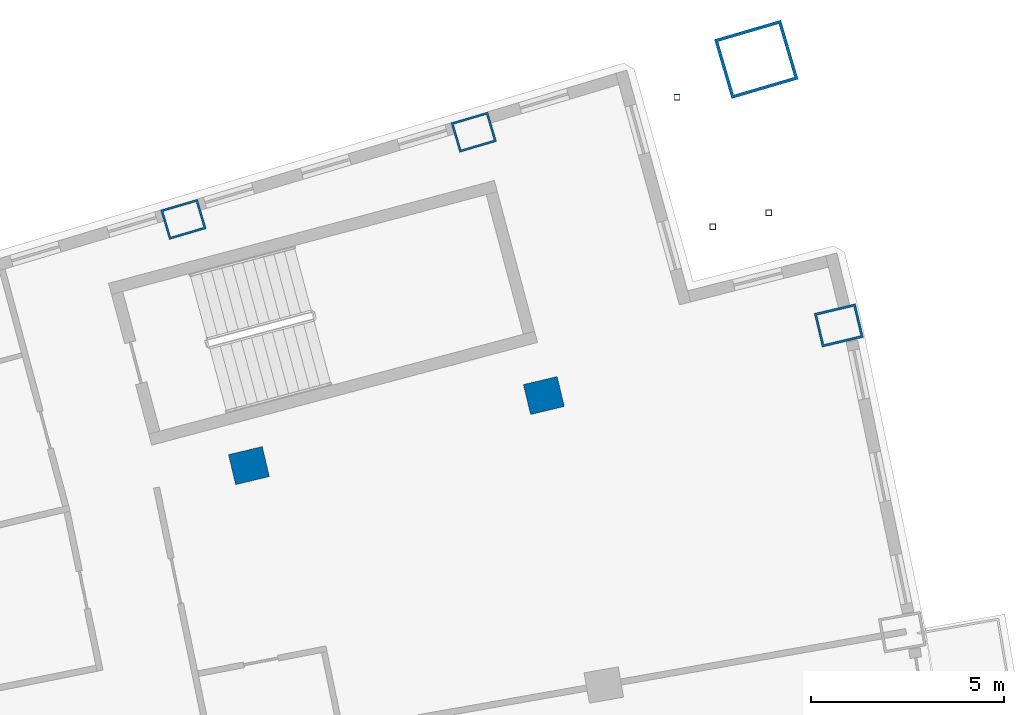
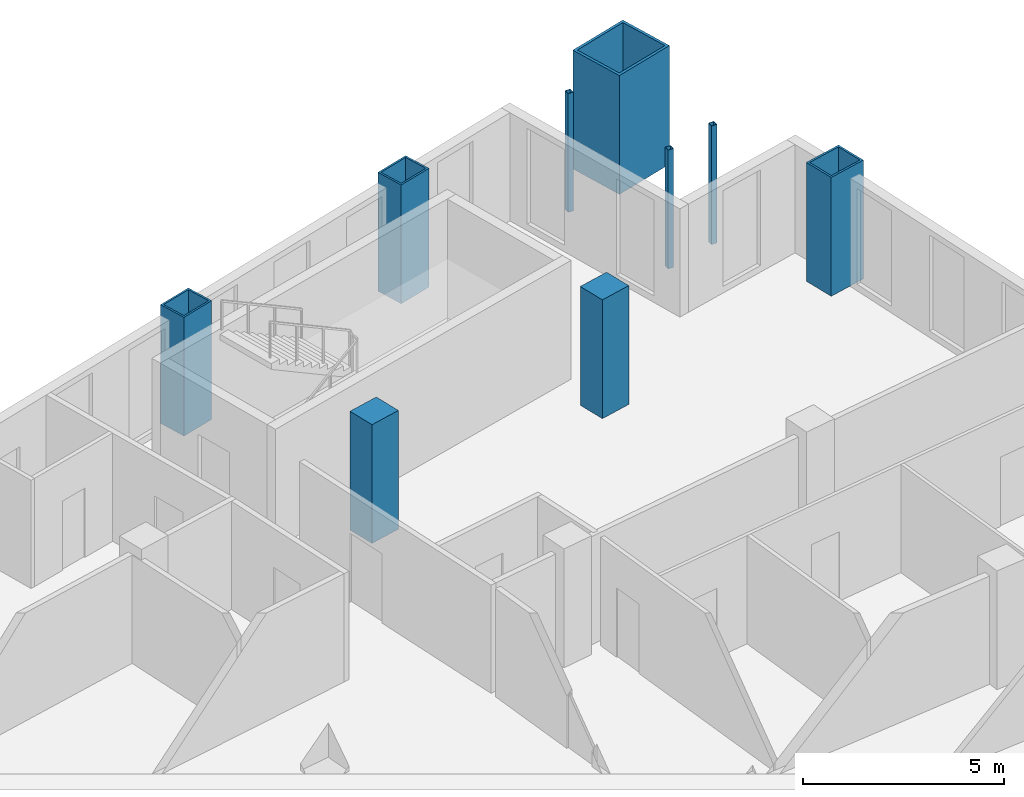
# One storey, part 8 of 20: 9 columns.
"""IFC4 building model written with IfcOpenShell, lengths in metres."""

import ifcopenshell
import ifcopenshell.guid

model = None  # the IFC model being written
_history = None  # IfcOwnerHistory: only IFC2X3 demands one
_inside = {}  # id of a spatial element -> (the spatial element, [elements in it])
_under = {}  # id of a project, library or spatial element -> (it, [spatial elements below it])
_declared = {}  # id of a project -> (the project, [libraries it declares])
_typed = {}  # id of a type object -> (the type object, [elements of that type])
_made_of = {}  # id of a material, layer set ... -> (it, [elements and type objects made of it])


def new_model(schema):
    """Start an empty IFC model of exactly this schema.

    Asked for "IFC4X3", IfcOpenShell would pick the latest addendum, in which some entities
    have other attributes; the version numbers below select the first issue.
    IFC2X3 requires an IfcOwnerHistory on every rooted entity: one is made here for all.
    """
    global model, _history
    if schema == "IFC4X3":
        model = ifcopenshell.file(schema_version=(4, 3, 0, 0))
    else:
        model = ifcopenshell.file(schema=schema)
    _inside.clear()
    _under.clear()
    _declared.clear()
    _typed.clear()
    _made_of.clear()
    _history = None
    if model.schema == "IFC2X3":
        org = make("IfcOrganization", Name="unknown")
        user = make(
            "IfcPersonAndOrganization",
            ThePerson=make("IfcPerson", FamilyName="unknown"),
            TheOrganization=org,
        )
        app = make(
            "IfcApplication",
            ApplicationDeveloper=org,
            Version="unknown",
            ApplicationFullName="unknown",
            ApplicationIdentifier="unknown",
        )
        _history = make(
            "IfcOwnerHistory",
            OwningUser=user,
            OwningApplication=app,
            ChangeAction="ADDED",
            CreationDate=0,
        )
    return model


def make(cls, **values):
    """One entity of the class cls with the attributes given. An attribute that is None is left unset."""
    return model.create_entity(
        cls, **{name: value for name, value in values.items() if value is not None}
    )


def rooted(cls, **values):
    """An entity with a GlobalId (a new one), such as an element, a storey or a relation."""
    return make(cls, GlobalId=ifcopenshell.guid.new(), OwnerHistory=_history, **values)


def si_unit(unit_type, name, prefix=None):
    """IfcSIUnit, for example si_unit("LENGTHUNIT", "METRE", prefix="MILLI")."""
    return make("IfcSIUnit", UnitType=unit_type, Prefix=prefix, Name=name)


def assignment(units):
    """IfcUnitAssignment: the units of a project."""
    return None if units is None else make("IfcUnitAssignment", Units=units)


def point(xyz):
    """IfcCartesianPoint."""
    return None if xyz is None else make("IfcCartesianPoint", Coordinates=xyz)


def direction(xyz):
    """IfcDirection."""
    return None if xyz is None else make("IfcDirection", DirectionRatios=xyz)


def frame(location, z_axis=None, x_axis=None):
    """IfcAxis2Placement3D, a coordinate frame: its origin and axes. An axis left out is left unset."""
    return make(
        "IfcAxis2Placement3D",
        Location=point(location),
        Axis=direction(z_axis),
        RefDirection=direction(x_axis),
    )


def frame_2d(location, x_axis=None):
    """IfcAxis2Placement2D, a coordinate frame in the plane: its origin and x axis."""
    return make(
        "IfcAxis2Placement2D", Location=point(location), RefDirection=direction(x_axis)
    )


def origin():
    """The frame at (0, 0, 0) with its axes left unset."""
    return frame((0.0, 0.0, 0.0))


def origin_2d():
    """The frame at (0, 0) in the plane with its x axis left unset."""
    return frame_2d((0.0, 0.0))


def place(relative_to, where):
    """IfcLocalPlacement: puts the frame where relative to a parent placement (None: the world)."""
    return make(
        "IfcLocalPlacement", PlacementRelTo=relative_to, RelativePlacement=where
    )


def context(
    kind, dimensions, precision=None, world=None, true_north=None, identifier=None
):
    """IfcGeometricRepresentationContext, for example the 3D "Model" context."""
    return make(
        "IfcGeometricRepresentationContext",
        ContextIdentifier=identifier,
        ContextType=kind,
        CoordinateSpaceDimension=dimensions,
        Precision=precision,
        WorldCoordinateSystem=world,
        TrueNorth=true_north,
    )


def subcontext(parent, identifier, kind, view, scale=None):
    """IfcGeometricRepresentationSubContext, for example "Body" below "Model"."""
    return make(
        "IfcGeometricRepresentationSubContext",
        ContextIdentifier=identifier,
        ContextType=kind,
        ParentContext=parent,
        TargetScale=scale,
        TargetView=view,
    )


def project(units=None, contexts=None):
    """IfcProject with its units and contexts."""
    return rooted(
        "IfcProject",
        Name="project",
        RepresentationContexts=contexts,
        UnitsInContext=assignment(units),
    )


def spatial(cls, under=None, at=None, **own):
    """A site, building, storey or space (cls), placed at a placement, below another one or the project."""
    s = rooted(cls, ObjectPlacement=at, **own)
    if under is not None:
        _under.setdefault(under.id(), (under, []))[1].append(s)
    return s


def profile(cls, at=None, kind="AREA", **sizes):
    """A parametric profile (cls). Its sizes go by their IFC names, for example OverallWidth=200.0."""
    return make(cls, ProfileType=kind, Position=at, **sizes)


def rectangle(**sizes):
    """IfcRectangleProfileDef."""
    return profile("IfcRectangleProfileDef", **sizes)


def hollow_rectangle(**sizes):
    """IfcRectangleHollowProfileDef."""
    return profile("IfcRectangleHollowProfileDef", **sizes)


def extrude(swept, where, along, depth):
    """IfcExtrudedAreaSolid: the profile swept, set in the frame where, extruded along a direction by depth."""
    return make(
        "IfcExtrudedAreaSolid",
        SweptArea=swept,
        Position=where,
        ExtrudedDirection=direction(along),
        Depth=depth,
    )


def shape(context_of_items, identifier, shape_type, items):
    """IfcShapeRepresentation: the items that make up one representation, for example the "Body"."""
    return make(
        "IfcShapeRepresentation",
        ContextOfItems=context_of_items,
        RepresentationIdentifier=identifier,
        RepresentationType=shape_type,
        Items=items,
    )


def material(Name=None, Category=None):
    """IfcMaterial."""
    return make("IfcMaterial", Name=Name, Category=Category)


def material_profile(
    of_material, cross_section, Name=None, Category=None, Priority=None
):
    """IfcMaterialProfile: a cross section and its material."""
    return make(
        "IfcMaterialProfile",
        Name=Name,
        Material=of_material,
        Profile=cross_section,
        Priority=Priority,
        Category=Category,
    )


def profile_set(profiles, Name=None, composite=None):
    """IfcMaterialProfileSet."""
    return make(
        "IfcMaterialProfileSet",
        Name=Name,
        MaterialProfiles=profiles,
        CompositeProfile=composite,
    )


def made_of(thing, what):
    """Note that an element or type object is made of a material, layer set ...; save() writes the relation."""
    if what is not None:
        _made_of.setdefault(what.id(), (what, []))[1].append(thing)
    return thing


def type_object(cls, material=None, **own):
    """A type object (cls), such as IfcWallType, which elements share."""
    return made_of(rooted(cls, **own), material)


def element(
    cls,
    number,
    at=None,
    inside=None,
    cuts=None,
    type_object=None,
    material=None,
    context=None,
    identifier="Body",
    shape_type=None,
    held_by="IfcProductDefinitionShape",
    body=None,
    shapes=None,
    **own,
):
    """One element of the class cls, such as IfcWall. Its Tag is "e" and its number.

    at: its placement. inside: the storey or other place that contains it. cuts: it is an
    opening in that element (IfcRelVoidsElement). A single representation is given by context,
    identifier, shape_type and body (its items); several are given by shapes. held_by: the class
    of the entity that holds the representations. save() writes the other relations.
    """
    e = rooted(cls, Tag="e%d" % number, ObjectPlacement=at, **own)
    if body is not None:
        shapes = [shape(context, identifier, shape_type, body)]
    if shapes is not None:
        e.Representation = make(held_by, Representations=shapes)
    if inside is not None:
        _inside.setdefault(inside.id(), (inside, []))[1].append(e)
    if cuts is not None:
        rooted(
            "IfcRelVoidsElement", RelatingBuildingElement=cuts, RelatedOpeningElement=e
        )
    if type_object is not None:
        _typed.setdefault(type_object.id(), (type_object, []))[1].append(e)
    return made_of(e, material)


def aggregate(whole, parts):
    """IfcRelAggregates: a whole, such as a stair, and the parts it consists of."""
    return rooted("IfcRelAggregates", RelatingObject=whole, RelatedObjects=parts)


def save(model, path):
    """Write the relations noted so far, then the file.

    IfcRelAggregates (storeys below a building ...), IfcRelContainedInSpatialStructure (elements
    in a storey), IfcRelDefinesByType, IfcRelAssociatesMaterial and IfcRelDeclares: one each for
    every whole, place, type object, material and project.
    """
    for whole, parts in _under.values():
        aggregate(whole, parts)
    for where, things in _inside.values():
        rooted(
            "IfcRelContainedInSpatialStructure",
            RelatedElements=things,
            RelatingStructure=where,
        )
    for kind, things in _typed.values():
        rooted("IfcRelDefinesByType", RelatedObjects=things, RelatingType=kind)
    for what, things in _made_of.values():
        rooted("IfcRelAssociatesMaterial", RelatedObjects=things, RelatingMaterial=what)
    for by, libraries in _declared.values():
        rooted("IfcRelDeclares", RelatingContext=by, RelatedDefinitions=libraries)
    model.write(path)


model = new_model("IFC4")

# Units and contexts
model_context = context("Model", 3, precision=1e-05, world=origin(), true_north=direction((0.0, 1.0)))
body_context = subcontext(model_context, "Body", "Model", "MODEL_VIEW")
ifc_project = project(units=[si_unit("LENGTHUNIT", "METRE"), si_unit("AREAUNIT", "SQUARE_METRE"), si_unit("VOLUMEUNIT", "CUBIC_METRE"), si_unit("PLANEANGLEUNIT", "RADIAN"), si_unit("MASSUNIT", "GRAM", prefix="KILO")], contexts=[model_context])

# Site, building, storey
site_placement = place(None, origin())
site = spatial("IfcSite", under=ifc_project, at=site_placement, CompositionType="ELEMENT")
building_placement = place(site_placement, origin())
building = spatial("IfcBuilding", under=site, at=building_placement, Name="Alderwake Tower", CompositionType="ELEMENT")
storey_placement = place(building_placement, frame((0.0, 0.0, 164.0)))
storey = spatial("IfcBuildingStorey", under=building, at=storey_placement, Name="L40", CompositionType="ELEMENT", Elevation=164.0)

# Columns
ifc_material_1 = material(Name="Steel ASTM A572 Grade 50 concrete filled C70/85", Category="concrete")
ifc_material_profile_1 = material_profile(ifc_material_1, hollow_rectangle(XDim=0.800048828125, YDim=1.0, WallThickness=0.054931640625, at=origin_2d()), Name="BOX 1000X800X55")
ifc_profile_set_1 = profile_set([ifc_material_profile_1], Name="Steel ASTM A572 Grade 50 concrete filled C70/85")
column_type_1 = type_object("IfcColumnType", Name="End column Z3", PredefinedType="COLUMN", material=ifc_profile_set_1)
for number, where, z_axis, x_axis, name in (
    (1, (38.614990234375, 95.985107421875, 0.0), (0.0, 0.0, 1.0), (-0.282898957267, 0.959149717186, 0.0), "Column R12-C3"),
    (2, (46.1494140625, 98.247314453125, 0.0), (0.0, 0.0, 1.0), (-0.283176834711, 0.959067714128, 0.0), "Column R12-C4"),
):
    element("IfcColumn", number, at=place(storey_placement, frame(where, z_axis=z_axis, x_axis=x_axis)), inside=storey, type_object=column_type_1, Name=name, PredefinedType="COLUMN", context=body_context, shape_type="SweptSolid", body=[
        extrude(hollow_rectangle(XDim=0.800048828125, YDim=1.0, WallThickness=0.054931640625, at=origin_2d()), origin(), (0.0, 0.0, 1.0), 3.60009765625),
    ])
ifc_material_2 = material(Name="Concrete C70/85", Category="concrete")
ifc_material_profile_2 = material_profile(ifc_material_2, rectangle(XDim=0.800048828125, YDim=0.89990234375, at=origin_2d()), Name="RC 900X800")
ifc_profile_set_2 = profile_set([ifc_material_profile_2], Name="Concrete C70/85")
column_type_2 = type_object("IfcColumnType", Name="Interior column Z3", PredefinedType="COLUMN", material=ifc_profile_set_2)
for number, where, z_axis, x_axis, name in (
    (3, (40.3154296875, 89.594482421875, 0.0), (0.0, 0.0, 1.0), (-0.231221547198, 0.972901123502, 0.0), "Column R11-C3"),
    (4, (47.968994140625, 91.413330078125, 0.0), (0.0, 0.0, 1.0), (-0.231221547198, 0.972901123502, 0.0), "Column R11-C4"),
):
    element("IfcColumn", number, at=place(storey_placement, frame(where, z_axis=z_axis, x_axis=x_axis)), inside=storey, type_object=column_type_2, Name=name, PredefinedType="COLUMN", context=body_context, shape_type="SweptSolid", body=[
        extrude(rectangle(XDim=0.800048828125, YDim=0.89990234375, at=origin_2d()), origin(), (0.0, 0.0, 1.0), 3.60009765625),
    ])
ifc_material_3 = material(Name="Steel ASTM A500 Grade C", Category="steel")
ifc_material_profile_3 = material_profile(ifc_material_3, hollow_rectangle(XDim=0.15234375, YDim=0.15234375, WallThickness=0.0087890625, at=origin_2d()), Name="HSS6X6X3/8")
ifc_profile_set_3 = profile_set([ifc_material_profile_3], Name="Steel ASTM A500 Grade C")
column_type_3 = type_object("IfcColumnType", Name="Light post HSS6X6X3/8", PredefinedType="COLUMN", material=ifc_profile_set_3)
for number, where, z_axis, x_axis, name in (
    (5, (53.807861328125, 96.159423828125, 0.0), (0.0, 0.0, 1.0), (1.0, 0.0, 0.0), "Terrace post FN1"),
    (6, (51.42431640625, 99.152099609375, 0.0), (0.0, 0.0, 1.0), (1.0, 0.0, 0.0), "Terrace post FN2"),
    (7, (52.353759765625, 95.791259765625, 0.0), (0.0, 0.0, 1.0), (1.0, 0.0, 0.0), "Terrace post FN3"),
):
    element("IfcColumn", number, at=place(storey_placement, frame(where, z_axis=z_axis, x_axis=x_axis)), inside=storey, type_object=column_type_3, Name=name, PredefinedType="COLUMN", context=body_context, shape_type="SweptSolid", body=[
        extrude(hollow_rectangle(XDim=0.15234375, YDim=0.15234375, WallThickness=0.0087890625, at=origin_2d()), origin(), (0.0, 0.0, 1.0), 3.60009765625),
    ])
ifc_material_4 = material(Name="Steel ASTM A572 Grade 50 concrete filled C70/85", Category="concrete")
ifc_material_profile_4 = material_profile(ifc_material_4, hollow_rectangle(XDim=1.60009765625, YDim=1.800048828125, WallThickness=0.080078125, at=origin_2d()), Name="BOX 1800X1600X80")
ifc_profile_set_4 = profile_set([ifc_material_profile_4], Name="Steel ASTM A572 Grade 50 concrete filled C70/85")
column_type_4 = type_object("IfcColumnType", Name="Mega column Z3", PredefinedType="COLUMN", material=ifc_profile_set_4)
column_1_placement = place(storey_placement, frame((53.480712890625, 100.13720703125, 0.0), z_axis=(0.0, 0.0, 1.0), x_axis=(-0.281360158561, 0.959602241126, 0.0)))
element("IfcColumn", 8, at=column_1_placement, inside=storey, type_object=column_type_4, Name="Column R12-C5", PredefinedType="COLUMN", context=body_context, shape_type="SweptSolid", body=[
    extrude(hollow_rectangle(XDim=1.60009765625, YDim=1.800048828125, WallThickness=0.080078125, at=origin_2d()), origin(), (0.0, 0.0, 1.0), 3.60009765625),
])
ifc_material_5 = material(Name="Steel ASTM A572 Grade 50 concrete filled C70/85", Category="concrete")
ifc_material_profile_5 = material_profile(ifc_material_5, hollow_rectangle(XDim=0.89990234375, YDim=1.10009765625, WallThickness=0.06005859375, at=origin_2d()), Name="BOX 1100X900X60")
ifc_profile_set_5 = profile_set([ifc_material_profile_5], Name="Steel ASTM A572 Grade 50 concrete filled C70/85")
column_type_5 = type_object("IfcColumnType", Name="Perimeter column Z3", PredefinedType="COLUMN", material=ifc_profile_set_5)
column_2_placement = place(storey_placement, frame((55.622314453125, 93.232421875, 0.0), z_axis=(0.0, 0.0, 1.0), x_axis=(-0.231221547198, 0.972901123502, 0.0)))
element("IfcColumn", 9, at=column_2_placement, inside=storey, type_object=column_type_5, Name="Column R11-C5", PredefinedType="COLUMN", context=body_context, shape_type="SweptSolid", body=[
    extrude(hollow_rectangle(XDim=0.89990234375, YDim=1.10009765625, WallThickness=0.06005859375, at=origin_2d()), origin(), (0.0, 0.0, 1.0), 3.60009765625),
])

save(model, "model.ifc")
